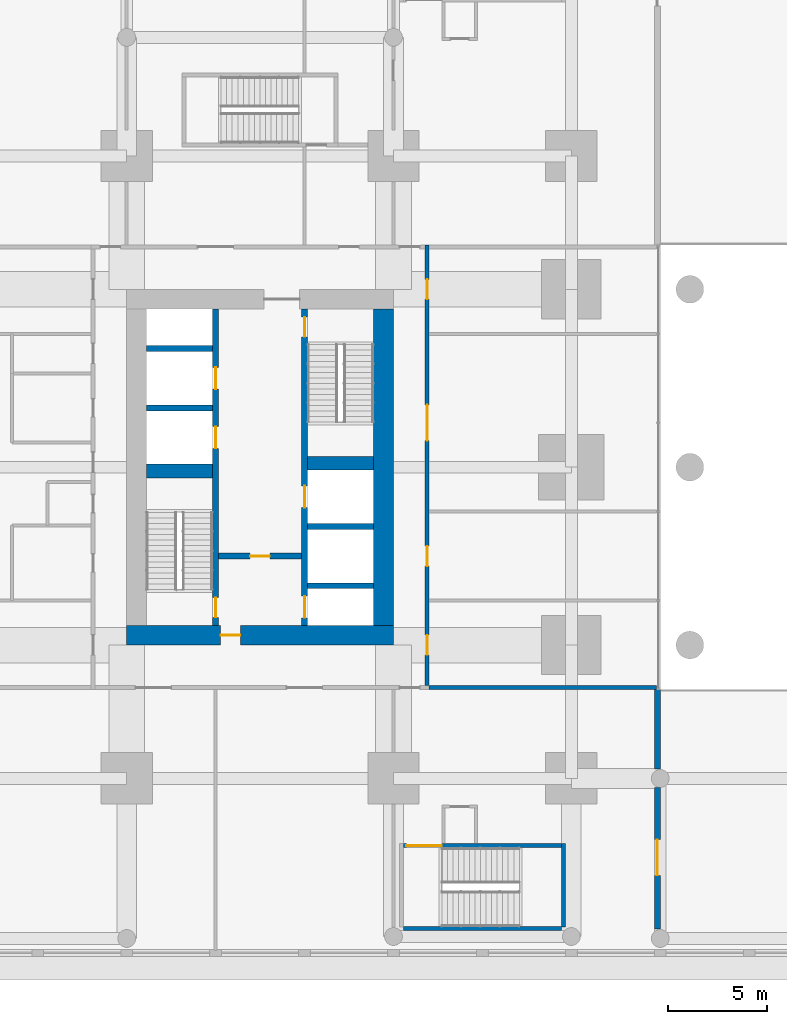
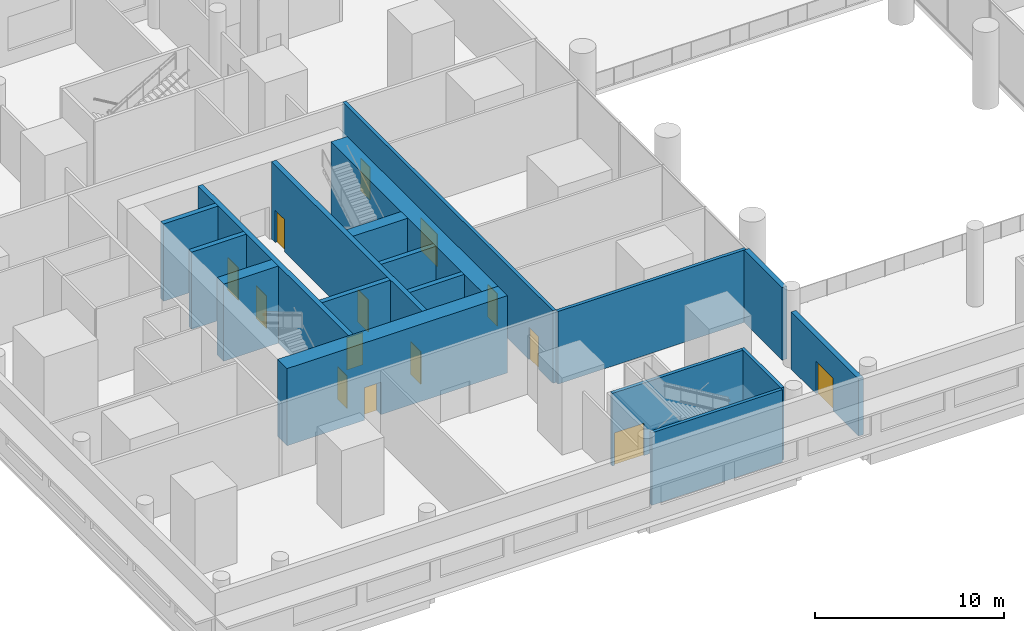
# One storey, part 11 of 22: 18 walls, 14 doors, 14 openings.
"""IFC4 building model written with IfcOpenShell, lengths in metres."""

from ifc_helpers import new_model, si_unit, direction, frame, frame_2d, origin, place, context, subcontext, project, spatial, rectangle, extrude, material, layer, layer_set, type_object, element, fill, save


model = new_model("IFC4")

# Units and contexts
model_context = context("Model", 3, precision=1e-05, world=origin(), true_north=direction((0.0, 1.0)))
body_context = subcontext(model_context, "Body", "Model", "MODEL_VIEW")
ifc_project = project(units=[si_unit("LENGTHUNIT", "METRE"), si_unit("AREAUNIT", "SQUARE_METRE"), si_unit("VOLUMEUNIT", "CUBIC_METRE"), si_unit("PLANEANGLEUNIT", "RADIAN"), si_unit("MASSUNIT", "GRAM", prefix="KILO")], contexts=[model_context])

# Site, building, storey
site_placement = place(None, origin())
site = spatial("IfcSite", under=ifc_project, at=site_placement, CompositionType="ELEMENT")
building_placement = place(site_placement, origin())
building = spatial("IfcBuilding", under=site, at=building_placement, Name="Namib Vertical Campus", CompositionType="ELEMENT")
storey_placement = place(building_placement, frame((0.0, 0.0, 11.0)))
storey = spatial("IfcBuildingStorey", under=building, at=storey_placement, Name="L02", CompositionType="ELEMENT", Elevation=11.0)

# Wall, openings, doors
ifc_material_1 = material(Name="Concrete C60/75", Category="concrete")
ifc_layer_1 = layer(ifc_material_1, 0.300048828125)
ifc_layer_set_1 = layer_set([ifc_layer_1], Name="Concrete C60/75")
wall_type_1 = type_object("IfcWallType", Name="Core inner wall 300", PredefinedType="SHEAR", material=ifc_layer_set_1)
wall_1_placement = place(storey_placement, frame((18.0, 12.25, 0.0), z_axis=(0.0, 0.0, 1.0), x_axis=(0.0, 1.0, 0.0)))
wall_1 = element("IfcWall", 1, at=wall_1_placement, inside=storey, type_object=wall_type_1, Name="Core inner wall A L02 W1", PredefinedType="SHEAR", context=body_context, shape_type="SweptSolid", body=[
    extrude(rectangle(XDim=16.0, YDim=0.300048828125, at=frame_2d((8.0, 0.0))), origin(), (0.0, 0.0, 1.0), 5.0),
])
opening_1_placement = place(wall_1_placement, frame((0.39990234375, 0.0, 0.0)))
opening_1 = element("IfcOpeningElement", 2, at=opening_1_placement, cuts=wall_1, Name="Opening FD1", PredefinedType="OPENING", context=body_context, shape_type="SweptSolid", body=[
    extrude(rectangle(XDim=1.0, YDim=2.10009765625, at=frame_2d((0.5, 1.050048828125))), frame((0.0, 0.159912109375, 0.0), z_axis=(0.0, -1.0, 0.0), x_axis=(1.0, 0.0, 0.0)), (0.0, 0.0, 1.0), 0.320068359375),
])
opening_2_placement = place(wall_1_placement, frame((8.949951171875, 0.0, 0.0)))
opening_2 = element("IfcOpeningElement", 3, at=opening_2_placement, cuts=wall_1, Name="Opening LD1", PredefinedType="OPENING", context=body_context, shape_type="SweptSolid", body=[
    extrude(rectangle(XDim=1.10009765625, YDim=2.10009765625, at=frame_2d((0.550048828125, 1.050048828125))), frame((0.0, 0.159912109375, 0.0), z_axis=(0.0, -1.0, 0.0), x_axis=(1.0, 0.0, 0.0)), (0.0, 0.0, 1.0), 0.320068359375),
])
opening_3_placement = place(wall_1_placement, frame((11.949951171875, 0.0, 0.0)))
opening_3 = element("IfcOpeningElement", 4, at=opening_3_placement, cuts=wall_1, Name="Opening LD1", PredefinedType="OPENING", context=body_context, shape_type="SweptSolid", body=[
    extrude(rectangle(XDim=1.10009765625, YDim=2.10009765625, at=frame_2d((0.550048828125, 1.050048828125))), frame((0.0, 0.159912109375, 0.0), z_axis=(0.0, -1.0, 0.0), x_axis=(1.0, 0.0, 0.0)), (0.0, 0.0, 1.0), 0.320068359375),
])
ifc_material_2 = material(Name="Steel fire door", Category="steel")
door_type_1 = type_object("IfcDoorType", Name="Fire door 1000x2100", OperationType="SINGLE_SWING_RIGHT", PredefinedType="DOOR", material=ifc_material_2)
door_1_placement = place(opening_1_placement, origin())
door_1 = element("IfcDoor", 5, at=door_1_placement, inside=storey, type_object=door_type_1, Name="Stair door FD1 A L02 S1", OperationType="SINGLE_SWING_LEFT", OverallHeight=2.10009765625, OverallWidth=1.0, PredefinedType="DOOR", context=body_context, shape_type="SweptSolid", body=[
    extrude(rectangle(XDim=1.0, YDim=2.10009765625, at=frame_2d((0.5, 1.050048828125))), frame((0.0, 0.02490234375, 0.0), z_axis=(0.0, -1.0, 0.0), x_axis=(1.0, 0.0, 0.0)), (0.0, 0.0, 1.0), 0.050048828125),
])
fill(opening_1, door_1)
ifc_material_3 = material(Name="Stainless steel lift door", Category="steel")
door_type_2 = type_object("IfcDoorType", Name="Lift landing door 1100x2100", OperationType="DOUBLE_DOOR_SLIDING", PredefinedType="DOOR", material=ifc_material_3)
door_2_placement = place(opening_2_placement, origin())
door_2 = element("IfcDoor", 6, at=door_2_placement, inside=storey, type_object=door_type_2, Name="Lift landing door LD1 A-P1 L02", OperationType="DOUBLE_DOOR_SLIDING", OverallHeight=2.10009765625, OverallWidth=1.10009765625, PredefinedType="DOOR", context=body_context, shape_type="SweptSolid", body=[
    extrude(rectangle(XDim=1.10009765625, YDim=2.10009765625, at=frame_2d((0.550048828125, 1.050048828125))), frame((0.0, 0.02490234375, 0.0), z_axis=(0.0, -1.0, 0.0), x_axis=(1.0, 0.0, 0.0)), (0.0, 0.0, 1.0), 0.050048828125),
])
fill(opening_2, door_2)
door_3_placement = place(opening_3_placement, origin())
door_3 = element("IfcDoor", 7, at=door_3_placement, inside=storey, type_object=door_type_2, Name="Lift landing door LD1 A-P2 L02", OperationType="DOUBLE_DOOR_SLIDING", OverallHeight=2.10009765625, OverallWidth=1.10009765625, PredefinedType="DOOR", context=body_context, shape_type="SweptSolid", body=[
    extrude(rectangle(XDim=1.10009765625, YDim=2.10009765625, at=frame_2d((0.550048828125, 1.050048828125))), frame((0.0, 0.02490234375, 0.0), z_axis=(0.0, -1.0, 0.0), x_axis=(1.0, 0.0, 0.0)), (0.0, 0.0, 1.0), 0.050048828125),
])
fill(opening_3, door_3)

wall_2_placement = place(storey_placement, frame((22.5, 12.25, 0.0), z_axis=(0.0, 0.0, 1.0), x_axis=(0.0, 1.0, 0.0)))
wall_2 = element("IfcWall", 8, at=wall_2_placement, inside=storey, type_object=wall_type_1, Name="Core inner wall A L02 W2", PredefinedType="SHEAR", context=body_context, shape_type="SweptSolid", body=[
    extrude(rectangle(XDim=16.0, YDim=0.300048828125, at=frame_2d((8.0, 0.0))), origin(), (0.0, 0.0, 1.0), 5.0),
])
opening_4_placement = place(wall_2_placement, frame((14.60009765625, 0.0, 0.0)))
opening_4 = element("IfcOpeningElement", 9, at=opening_4_placement, cuts=wall_2, Name="Opening FD1", PredefinedType="OPENING", context=body_context, shape_type="SweptSolid", body=[
    extrude(rectangle(XDim=1.0, YDim=2.10009765625, at=frame_2d((0.5, 1.050048828125))), frame((0.0, 0.159912109375, 0.0), z_axis=(0.0, -1.0, 0.0), x_axis=(1.0, 0.0, 0.0)), (0.0, 0.0, 1.0), 0.320068359375),
])
opening_5_placement = place(wall_2_placement, frame((0.375, 0.0, 0.0)))
opening_5 = element("IfcOpeningElement", 10, at=opening_5_placement, cuts=wall_2, Name="Opening LD1", PredefinedType="OPENING", context=body_context, shape_type="SweptSolid", body=[
    extrude(rectangle(XDim=1.10009765625, YDim=2.10009765625, at=frame_2d((0.550048828125, 1.050048828125))), frame((0.0, 0.159912109375, 0.0), z_axis=(0.0, -1.0, 0.0), x_axis=(1.0, 0.0, 0.0)), (0.0, 0.0, 1.0), 0.320068359375),
])
opening_6_placement = place(wall_2_placement, frame((5.949951171875, 0.0, 0.0)))
opening_6 = element("IfcOpeningElement", 11, at=opening_6_placement, cuts=wall_2, Name="Opening LD1", PredefinedType="OPENING", context=body_context, shape_type="SweptSolid", body=[
    extrude(rectangle(XDim=1.10009765625, YDim=2.10009765625, at=frame_2d((0.550048828125, 1.050048828125))), frame((0.0, 0.159912109375, 0.0), z_axis=(0.0, -1.0, 0.0), x_axis=(1.0, 0.0, 0.0)), (0.0, 0.0, 1.0), 0.320068359375),
])
door_4_placement = place(opening_4_placement, frame((1.0, 0.0, 0.0), z_axis=(0.0, 0.0, 1.0), x_axis=(-1.0, 0.0, 0.0)))
door_4 = element("IfcDoor", 12, at=door_4_placement, inside=storey, type_object=door_type_1, Name="Stair door FD1 A L02 S2", OperationType="SINGLE_SWING_LEFT", OverallHeight=2.10009765625, OverallWidth=1.0, PredefinedType="DOOR", context=body_context, shape_type="SweptSolid", body=[
    extrude(rectangle(XDim=1.0, YDim=2.10009765625, at=frame_2d((0.5, 1.050048828125))), frame((0.0, 0.02490234375, 0.0), z_axis=(0.0, -1.0, 0.0), x_axis=(1.0, 0.0, 0.0)), (0.0, 0.0, 1.0), 0.050048828125),
])
fill(opening_4, door_4)
door_5_placement = place(opening_5_placement, origin())
door_5 = element("IfcDoor", 13, at=door_5_placement, inside=storey, type_object=door_type_2, Name="Lift landing door LD1 A-FL1 L02", OperationType="DOUBLE_DOOR_SLIDING", OverallHeight=2.10009765625, OverallWidth=1.10009765625, PredefinedType="DOOR", context=body_context, shape_type="SweptSolid", body=[
    extrude(rectangle(XDim=1.10009765625, YDim=2.10009765625, at=frame_2d((0.550048828125, 1.050048828125))), frame((0.0, 0.02490234375, 0.0), z_axis=(0.0, -1.0, 0.0), x_axis=(1.0, 0.0, 0.0)), (0.0, 0.0, 1.0), 0.050048828125),
])
fill(opening_5, door_5)
door_6_placement = place(opening_6_placement, origin())
door_6 = element("IfcDoor", 14, at=door_6_placement, inside=storey, type_object=door_type_2, Name="Lift landing door LD1 A-P5 L02", OperationType="DOUBLE_DOOR_SLIDING", OverallHeight=2.10009765625, OverallWidth=1.10009765625, PredefinedType="DOOR", context=body_context, shape_type="SweptSolid", body=[
    extrude(rectangle(XDim=1.10009765625, YDim=2.10009765625, at=frame_2d((0.550048828125, 1.050048828125))), frame((0.0, 0.02490234375, 0.0), z_axis=(0.0, -1.0, 0.0), x_axis=(1.0, 0.0, 0.0)), (0.0, 0.0, 1.0), 0.050048828125),
])
fill(opening_6, door_6)

# Wall, opening, door
wall_3_placement = place(storey_placement, frame((18.14990234375, 15.75, 0.0), z_axis=(0.0, 0.0, 1.0), x_axis=(1.0, 0.0, 0.0)))
wall_3 = element("IfcWall", 15, at=wall_3_placement, inside=storey, type_object=wall_type_1, Name="Core inner wall A L02 W4", PredefinedType="SHEAR", context=body_context, shape_type="SweptSolid", body=[
    extrude(rectangle(XDim=4.2001953125, YDim=0.300048828125, at=frame_2d((2.10009765625, 0.0))), origin(), (0.0, 0.0, 1.0), 5.0),
])
opening_7_placement = place(wall_3_placement, frame((1.60009765625, 0.0, 0.0)))
opening_7 = element("IfcOpeningElement", 16, at=opening_7_placement, cuts=wall_3, Name="Opening FD5", PredefinedType="OPENING", context=body_context, shape_type="SweptSolid", body=[
    extrude(rectangle(XDim=1.0, YDim=2.10009765625, at=frame_2d((0.5, 1.050048828125))), frame((0.0, 0.159912109375, 0.0), z_axis=(0.0, -1.0, 0.0), x_axis=(1.0, 0.0, 0.0)), (0.0, 0.0, 1.0), 0.320068359375),
])
ifc_material_4 = material(Name="Steel fire door", Category="steel")
door_type_3 = type_object("IfcDoorType", Name="Fire door 1000x2100 120 min", OperationType="SINGLE_SWING_RIGHT", PredefinedType="DOOR", material=ifc_material_4)
door_7_placement = place(opening_7_placement, frame((1.0, 0.0, 0.0), z_axis=(0.0, 0.0, 1.0), x_axis=(-1.0, 0.0, 0.0)))
door_7 = element("IfcDoor", 17, at=door_7_placement, inside=storey, type_object=door_type_3, Name="Lobby door FD5 A L02", OperationType="SINGLE_SWING_RIGHT", OverallHeight=2.10009765625, OverallWidth=1.0, PredefinedType="DOOR", context=body_context, shape_type="SweptSolid", body=[
    extrude(rectangle(XDim=1.0, YDim=2.10009765625, at=frame_2d((0.5, 1.050048828125))), frame((0.0, 0.02490234375, 0.0), z_axis=(0.0, -1.0, 0.0), x_axis=(1.0, 0.0, 0.0)), (0.0, 0.0, 1.0), 0.050048828125),
])
fill(opening_7, door_7)

# Walls
for number, where, z_axis, x_axis, name in (
    (18, (22.64990234375, 14.25, 0.0), (0.0, 0.0, 1.0), (1.0, 0.0, 0.0), "Core inner wall A L02 W5"),
    (19, (22.64990234375, 17.25, 0.0), (0.0, 0.0, 1.0), (1.0, 0.0, 0.0), "Core inner wall A L02 W6"),
    (20, (14.5, 23.25, 0.0), (0.0, 0.0, 1.0), (1.0, 0.0, 0.0), "Core inner wall A L02 W8"),
    (21, (14.5, 26.25, 0.0), (0.0, 0.0, 1.0), (1.0, 0.0, 0.0), "Core inner wall A L02 W9"),
):
    element("IfcWall", number, at=place(storey_placement, frame(where, z_axis=z_axis, x_axis=x_axis)), inside=storey, type_object=wall_type_1, Name=name, PredefinedType="SHEAR", context=body_context, shape_type="SweptSolid", body=[
        extrude(rectangle(XDim=3.35009765625, YDim=0.300048828125, at=frame_2d((1.675048828125, 0.0))), origin(), (0.0, 0.0, 1.0), 5.0),
    ])
ifc_material_5 = material(Name="Concrete C60/75", Category="concrete")
ifc_layer_2 = layer(ifc_material_5, 0.699951171875)
ifc_layer_set_2 = layer_set([ifc_layer_2], Name="Concrete C60/75")
wall_type_2 = type_object("IfcWallType", Name="Core shear wall 700", PredefinedType="SHEAR", material=ifc_layer_set_2)
for number, where, z_axis, x_axis, name in (
    (22, (14.5, 20.050048828125, 0.0), (0.0, 0.0, 1.0), (1.0, 0.0, 0.0), "Core shear wall A L02 W3"),
    (23, (22.64990234375, 20.449951171875, 0.0), (0.0, 0.0, 1.0), (1.0, 0.0, 0.0), "Core shear wall A L02 W7"),
):
    element("IfcWall", number, at=place(storey_placement, frame(where, z_axis=z_axis, x_axis=x_axis)), inside=storey, type_object=wall_type_2, Name=name, PredefinedType="SHEAR", context=body_context, shape_type="SweptSolid", body=[
        extrude(rectangle(XDim=3.35009765625, YDim=0.699951171875, at=frame_2d((1.675048828125, 0.0))), origin(), (0.0, 0.0, 1.0), 5.0),
    ])

# Wall, opening, door
ifc_material_6 = material(Name="Concrete C60/75", Category="concrete")
ifc_layer_3 = layer(ifc_material_6, 1.0)
ifc_layer_set_3 = layer_set([ifc_layer_3], Name="Concrete C60/75")
wall_type_3 = type_object("IfcWallType", Name="Core wall 1000", PredefinedType="SHEAR", material=ifc_layer_set_3)
wall_4_placement = place(storey_placement, frame((13.5, 11.75, 0.0), z_axis=(0.0, 0.0, 1.0), x_axis=(1.0, 0.0, 0.0)))
wall_4 = element("IfcWall", 24, at=wall_4_placement, inside=storey, type_object=wall_type_3, Name="Core wall A L02 1", PredefinedType="SHEAR", context=body_context, shape_type="SweptSolid", body=[
    extrude(rectangle(XDim=13.5, YDim=1.0, at=frame_2d((6.75, 0.0))), origin(), (0.0, 0.0, 1.0), 5.0),
])
opening_8_placement = place(wall_4_placement, frame((4.75, 0.0, 0.0)))
opening_8 = element("IfcOpeningElement", 25, at=opening_8_placement, cuts=wall_4, Name="Opening FD5", PredefinedType="OPENING", context=body_context, shape_type="SweptSolid", body=[
    extrude(rectangle(XDim=1.0, YDim=2.10009765625, at=frame_2d((0.5, 1.050048828125))), frame((0.0, 0.510009765625, 0.0), z_axis=(0.0, -1.0, 0.0), x_axis=(1.0, 0.0, 0.0)), (0.0, 0.0, 1.0), 1.02001953125),
])
door_8_placement = place(opening_8_placement, origin())
door_8 = element("IfcDoor", 26, at=door_8_placement, inside=storey, type_object=door_type_3, Name="Firefighting lobby door FD5 A L02", OperationType="SINGLE_SWING_LEFT", OverallHeight=2.10009765625, OverallWidth=1.0, PredefinedType="DOOR", context=body_context, shape_type="SweptSolid", body=[
    extrude(rectangle(XDim=1.0, YDim=2.10009765625, at=frame_2d((0.5, 1.050048828125))), frame((0.0, 0.02490234375, 0.0), z_axis=(0.0, -1.0, 0.0), x_axis=(1.0, 0.0, 0.0)), (0.0, 0.0, 1.0), 0.050048828125),
])
fill(opening_8, door_8)

# Wall
wall_5_placement = place(storey_placement, frame((26.5, 12.25, 0.0), z_axis=(0.0, 0.0, 1.0), x_axis=(0.0, 1.0, 0.0)))
element("IfcWall", 27, at=wall_5_placement, inside=storey, type_object=wall_type_3, Name="Core wall A L02 2", PredefinedType="SHEAR", context=body_context, shape_type="SweptSolid", body=[
    extrude(rectangle(XDim=16.0, YDim=1.0, at=frame_2d((8.0, 0.0))), origin(), (0.0, 0.0, 1.0), 5.0),
])

# Wall, openings, doors
ifc_material_7 = material(Name="Concrete masonry", Category="masonry")
ifc_layer_4 = layer(ifc_material_7, 0.199951171875)
ifc_layer_set_4 = layer_set([ifc_layer_4], Name="Corridor wall 200")
wall_type_4 = type_object("IfcWallType", Name="Corridor wall 200", PredefinedType="SOLIDWALL", material=ifc_layer_set_4)
wall_6_placement = place(storey_placement, frame((28.699951171875, 9.199951171875, 0.0), z_axis=(0.0, 0.0, 1.0), x_axis=(0.0, 1.0, 0.0)))
wall_6 = element("IfcWall", 28, at=wall_6_placement, inside=storey, type_object=wall_type_4, Name="Corridor wall A L02 CE", PredefinedType="SOLIDWALL", context=body_context, shape_type="SweptSolid", body=[
    extrude(rectangle(XDim=22.300048828125, YDim=0.199951171875, at=frame_2d((11.14990234375, 0.0))), origin(), (0.0, 0.0, 1.0), 4.699951171875),
])
opening_9_placement = place(wall_6_placement, frame((1.550048828125, 0.0, 0.0)))
opening_9 = element("IfcOpeningElement", 29, at=opening_9_placement, cuts=wall_6, Name="Opening CD1", PredefinedType="OPENING", context=body_context, shape_type="SweptSolid", body=[
    extrude(rectangle(XDim=1.0, YDim=2.10009765625, at=frame_2d((0.5, 1.050048828125))), frame((0.0, 0.10986328125, 0.0), z_axis=(0.0, -1.0, 0.0), x_axis=(1.0, 0.0, 0.0)), (0.0, 0.0, 1.0), 0.219970703125),
])
opening_10_placement = place(wall_6_placement, frame((6.050048828125, 0.0, 0.0)))
opening_10 = element("IfcOpeningElement", 30, at=opening_10_placement, cuts=wall_6, Name="Opening CD1", PredefinedType="OPENING", context=body_context, shape_type="SweptSolid", body=[
    extrude(rectangle(XDim=1.0, YDim=2.10009765625, at=frame_2d((0.5, 1.050048828125))), frame((0.0, 0.10986328125, 0.0), z_axis=(0.0, -1.0, 0.0), x_axis=(1.0, 0.0, 0.0)), (0.0, 0.0, 1.0), 0.219970703125),
])
opening_11_placement = place(wall_6_placement, frame((12.39990234375, 0.0, 0.0)))
opening_11 = element("IfcOpeningElement", 31, at=opening_11_placement, cuts=wall_6, Name="Opening CD2", PredefinedType="OPENING", context=body_context, shape_type="SweptSolid", body=[
    extrude(rectangle(XDim=1.800048828125, YDim=2.10009765625, at=frame_2d((0.89990234375, 1.050048828125))), frame((0.0, 0.10986328125, 0.0), z_axis=(0.0, -1.0, 0.0), x_axis=(1.0, 0.0, 0.0)), (0.0, 0.0, 1.0), 0.219970703125),
])
opening_12_placement = place(wall_6_placement, frame((19.550048828125, 0.0, 0.0)))
opening_12 = element("IfcOpeningElement", 32, at=opening_12_placement, cuts=wall_6, Name="Opening CD1", PredefinedType="OPENING", context=body_context, shape_type="SweptSolid", body=[
    extrude(rectangle(XDim=1.0, YDim=2.10009765625, at=frame_2d((0.5, 1.050048828125))), frame((0.0, 0.10986328125, 0.0), z_axis=(0.0, -1.0, 0.0), x_axis=(1.0, 0.0, 0.0)), (0.0, 0.0, 1.0), 0.219970703125),
])
ifc_material_8 = material(Name="Timber fire door leaf", Category="wood")
door_type_4 = type_object("IfcDoorType", Name="Corridor door 1000x2100 20 min", OperationType="SINGLE_SWING_LEFT", PredefinedType="DOOR", material=ifc_material_8)
door_9_placement = place(opening_9_placement, frame((1.0, 0.0, 0.0), z_axis=(0.0, 0.0, 1.0), x_axis=(-1.0, 0.0, 0.0)))
door_9 = element("IfcDoor", 33, at=door_9_placement, inside=storey, type_object=door_type_4, Name="Door CD1 A02-04", OperationType="SINGLE_SWING_RIGHT", OverallHeight=2.10009765625, OverallWidth=1.0, PredefinedType="DOOR", context=body_context, shape_type="SweptSolid", body=[
    extrude(rectangle(XDim=1.0, YDim=2.10009765625, at=frame_2d((0.5, 1.050048828125))), frame((0.0, 0.02490234375, 0.0), z_axis=(0.0, -1.0, 0.0), x_axis=(1.0, 0.0, 0.0)), (0.0, 0.0, 1.0), 0.050048828125),
])
fill(opening_9, door_9)
door_10_placement = place(opening_10_placement, frame((1.0, 0.0, 0.0), z_axis=(0.0, 0.0, 1.0), x_axis=(-1.0, 0.0, 0.0)))
door_10 = element("IfcDoor", 34, at=door_10_placement, inside=storey, type_object=door_type_4, Name="Door CD1 A02-05", OperationType="SINGLE_SWING_RIGHT", OverallHeight=2.10009765625, OverallWidth=1.0, PredefinedType="DOOR", context=body_context, shape_type="SweptSolid", body=[
    extrude(rectangle(XDim=1.0, YDim=2.10009765625, at=frame_2d((0.5, 1.050048828125))), frame((0.0, 0.02490234375, 0.0), z_axis=(0.0, -1.0, 0.0), x_axis=(1.0, 0.0, 0.0)), (0.0, 0.0, 1.0), 0.050048828125),
])
fill(opening_10, door_10)
door_11_placement = place(opening_12_placement, frame((1.0, 0.0, 0.0), z_axis=(0.0, 0.0, 1.0), x_axis=(-1.0, 0.0, 0.0)))
door_11 = element("IfcDoor", 35, at=door_11_placement, inside=storey, type_object=door_type_4, Name="Door CD1 A02-07", OperationType="SINGLE_SWING_RIGHT", OverallHeight=2.10009765625, OverallWidth=1.0, PredefinedType="DOOR", context=body_context, shape_type="SweptSolid", body=[
    extrude(rectangle(XDim=1.0, YDim=2.10009765625, at=frame_2d((0.5, 1.050048828125))), frame((0.0, 0.02490234375, 0.0), z_axis=(0.0, -1.0, 0.0), x_axis=(1.0, 0.0, 0.0)), (0.0, 0.0, 1.0), 0.050048828125),
])
fill(opening_12, door_11)
ifc_material_9 = material(Name="Timber fire door leaf", Category="wood")
door_type_5 = type_object("IfcDoorType", Name="Corridor door double 1800x2100 20 min", OperationType="DOUBLE_DOOR_SINGLE_SWING", PredefinedType="DOOR", material=ifc_material_9)
door_12_placement = place(opening_11_placement, frame((1.800048828125, 0.0, 0.0), z_axis=(0.0, 0.0, 1.0), x_axis=(-1.0, 0.0, 0.0)))
door_12 = element("IfcDoor", 36, at=door_12_placement, inside=storey, type_object=door_type_5, Name="Door CD2 A02-06", OperationType="DOUBLE_DOOR_SINGLE_SWING", OverallHeight=2.10009765625, OverallWidth=1.800048828125, PredefinedType="DOOR", context=body_context, shape_type="SweptSolid", body=[
    extrude(rectangle(XDim=1.800048828125, YDim=2.10009765625, at=frame_2d((0.89990234375, 1.050048828125))), frame((0.0, 0.02490234375, 0.0), z_axis=(0.0, -1.0, 0.0), x_axis=(1.0, 0.0, 0.0)), (0.0, 0.0, 1.0), 0.050048828125),
])
fill(opening_11, door_12)

# Wall
wall_7_placement = place(storey_placement, frame((28.800048828125, 9.10009765625, 0.0), z_axis=(0.0, 0.0, 1.0), x_axis=(1.0, 0.0, 0.0)))
element("IfcWall", 37, at=wall_7_placement, inside=storey, type_object=wall_type_4, Name="Partition A L02 BSE", PredefinedType="SOLIDWALL", context=body_context, shape_type="SweptSolid", body=[
    extrude(rectangle(XDim=11.52001953125, YDim=0.199951171875, at=frame_2d((5.760009765625, 0.0))), origin(), (0.0, 0.0, 1.0), 4.699951171875),
])

# Wall, opening, door
ifc_material_10 = material(Name="Concrete masonry", Category="masonry")
ifc_layer_5 = layer(ifc_material_10, 0.300048828125)
ifc_layer_set_5 = layer_set([ifc_layer_5], Name="Fire wall 300")
wall_type_5 = type_object("IfcWallType", Name="Fire wall 300", PredefinedType="SOLIDWALL", material=ifc_layer_set_5)
wall_8_placement = place(storey_placement, frame((40.35009765625, -3.1298828125, 0.0), z_axis=(0.0, 0.0, 1.0), x_axis=(0.0, 1.0, 0.0)))
wall_8 = element("IfcWall", 38, at=wall_8_placement, inside=storey, type_object=wall_type_5, Name="Fire wall A L02", PredefinedType="SOLIDWALL", context=body_context, shape_type="SweptSolid", body=[
    extrude(rectangle(XDim=7.159912109375, YDim=0.300048828125, at=frame_2d((3.580078125, 0.0))), origin(), (0.0, 0.0, 1.0), 3.699951171875),
])
opening_13_placement = place(wall_8_placement, frame((2.72998046875, 0.0, 0.0)))
opening_13 = element("IfcOpeningElement", 39, at=opening_13_placement, cuts=wall_8, Name="Opening FD2", PredefinedType="OPENING", context=body_context, shape_type="SweptSolid", body=[
    extrude(rectangle(XDim=1.800048828125, YDim=2.10009765625, at=frame_2d((0.89990234375, 1.050048828125))), frame((0.0, 0.159912109375, 0.0), z_axis=(0.0, -1.0, 0.0), x_axis=(1.0, 0.0, 0.0)), (0.0, 0.0, 1.0), 0.320068359375),
])
ifc_material_11 = material(Name="Steel fire door", Category="steel")
door_type_6 = type_object("IfcDoorType", Name="Fire door double 1800x2100", OperationType="DOUBLE_DOOR_SINGLE_SWING", PredefinedType="DOOR", material=ifc_material_11)
door_13_placement = place(opening_13_placement, origin())
door_13 = element("IfcDoor", 40, at=door_13_placement, inside=storey, type_object=door_type_6, Name="Door FD2 middle A L02 1", OperationType="DOUBLE_DOOR_SINGLE_SWING", OverallHeight=2.10009765625, OverallWidth=1.800048828125, PredefinedType="DOOR", context=body_context, shape_type="SweptSolid", body=[
    extrude(rectangle(XDim=1.800048828125, YDim=2.10009765625, at=frame_2d((0.89990234375, 1.050048828125))), frame((0.0, 0.02490234375, 0.0), z_axis=(0.0, -1.0, 0.0), x_axis=(1.0, 0.0, 0.0)), (0.0, 0.0, 1.0), 0.050048828125),
])
fill(opening_13, door_13)

# Wall
wall_9_placement = place(storey_placement, frame((40.35009765625, 4.969970703125, 0.0), z_axis=(0.0, 0.0, 1.0), x_axis=(0.0, 1.0, 0.0)))
element("IfcWall", 41, at=wall_9_placement, inside=storey, type_object=wall_type_5, Name="Fire wall A L02", PredefinedType="SOLIDWALL", context=body_context, shape_type="SweptSolid", body=[
    extrude(rectangle(XDim=4.030029296875, YDim=0.300048828125, at=frame_2d((2.01513671875, 0.0))), origin(), (0.0, 0.0, 1.0), 4.699951171875),
])

# Wall, opening, door
ifc_material_12 = material(Name="Concrete C40/50", Category="concrete")
ifc_layer_6 = layer(ifc_material_12, 0.199951171875)
ifc_layer_set_6 = layer_set([ifc_layer_6], Name="Concrete C40/50")
wall_type_6 = type_object("IfcWallType", Name="Stair enclosure wall RC 200", PredefinedType="SOLIDWALL", material=ifc_layer_set_6)
wall_10_placement = place(storey_placement, frame((27.5, 1.10009765625, 0.0), z_axis=(0.0, 0.0, 1.0), x_axis=(1.0, 0.0, 0.0)))
wall_10 = element("IfcWall", 42, at=wall_10_placement, inside=storey, type_object=wall_type_6, Name="Stair enclosure wall P-S2 L02 room side", PredefinedType="SOLIDWALL", context=body_context, shape_type="SweptSolid", body=[
    extrude(rectangle(XDim=8.0, YDim=0.199951171875, at=frame_2d((4.0, 0.0))), origin(), (0.0, 0.0, 1.0), 4.699951171875),
])
opening_14_placement = place(wall_10_placement, frame((0.14990234375, 0.0, 0.0)))
opening_14 = element("IfcOpeningElement", 43, at=opening_14_placement, cuts=wall_10, Name="Opening FD2", PredefinedType="OPENING", context=body_context, shape_type="SweptSolid", body=[
    extrude(rectangle(XDim=1.800048828125, YDim=2.10009765625, at=frame_2d((0.89990234375, 1.050048828125))), frame((0.0, 0.10986328125, 0.0), z_axis=(0.0, -1.0, 0.0), x_axis=(1.0, 0.0, 0.0)), (0.0, 0.0, 1.0), 0.219970703125),
])
door_14_placement = place(opening_14_placement, frame((1.800048828125, 0.0, 0.0), z_axis=(0.0, 0.0, 1.0), x_axis=(-1.0, 0.0, 0.0)))
door_14 = element("IfcDoor", 44, at=door_14_placement, inside=storey, type_object=door_type_6, Name="Stair door FD2 P-S2 L02", OperationType="DOUBLE_DOOR_SINGLE_SWING", OverallHeight=2.10009765625, OverallWidth=1.800048828125, PredefinedType="DOOR", context=body_context, shape_type="SweptSolid", body=[
    extrude(rectangle(XDim=1.800048828125, YDim=2.10009765625, at=frame_2d((0.89990234375, 1.050048828125))), frame((0.0, 0.02490234375, 0.0), z_axis=(0.0, -1.0, 0.0), x_axis=(1.0, 0.0, 0.0)), (0.0, 0.0, 1.0), 0.050048828125),
])
fill(opening_14, door_14)

# Walls
wall_11_placement = place(storey_placement, frame((27.5, -3.10009765625, 0.0), z_axis=(0.0, 0.0, 1.0), x_axis=(1.0, 0.0, 0.0)))
element("IfcWall", 45, at=wall_11_placement, inside=storey, type_object=wall_type_6, Name="Stair enclosure wall P-S2 L02 facade side", PredefinedType="SOLIDWALL", context=body_context, shape_type="SweptSolid", body=[
    extrude(rectangle(XDim=8.0, YDim=0.199951171875, at=frame_2d((4.0, 0.0))), origin(), (0.0, 0.0, 1.0), 4.699951171875),
])
wall_12_placement = place(storey_placement, frame((35.60009765625, -3.030029296875, 0.0), z_axis=(0.0, 0.0, 1.0), x_axis=(0.0, 1.0, 0.0)))
element("IfcWall", 46, at=wall_12_placement, inside=storey, type_object=wall_type_6, Name="Stair enclosure wall P-S2 L02 E", PredefinedType="SOLIDWALL", context=body_context, shape_type="SweptSolid", body=[
    extrude(rectangle(XDim=4.22998046875, YDim=0.199951171875, at=frame_2d((2.114990234375, 0.0))), origin(), (0.0, 0.0, 1.0), 4.699951171875),
])

save(model, "model.ifc")
